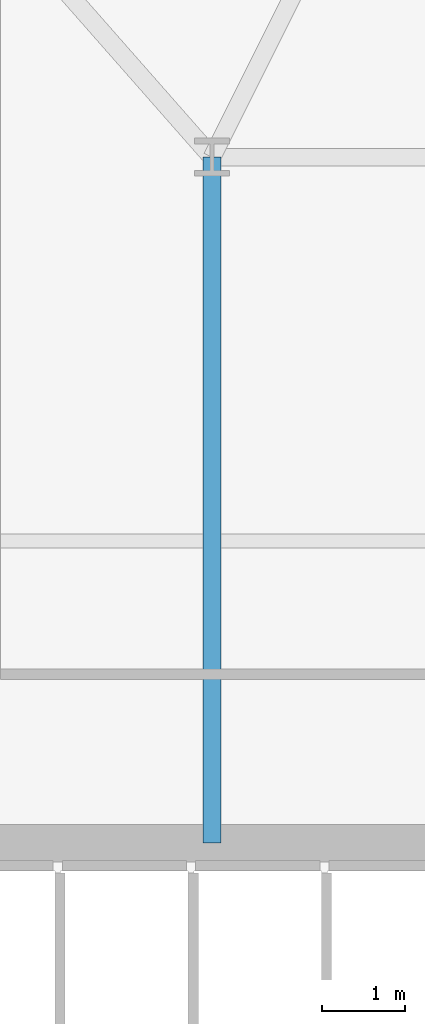
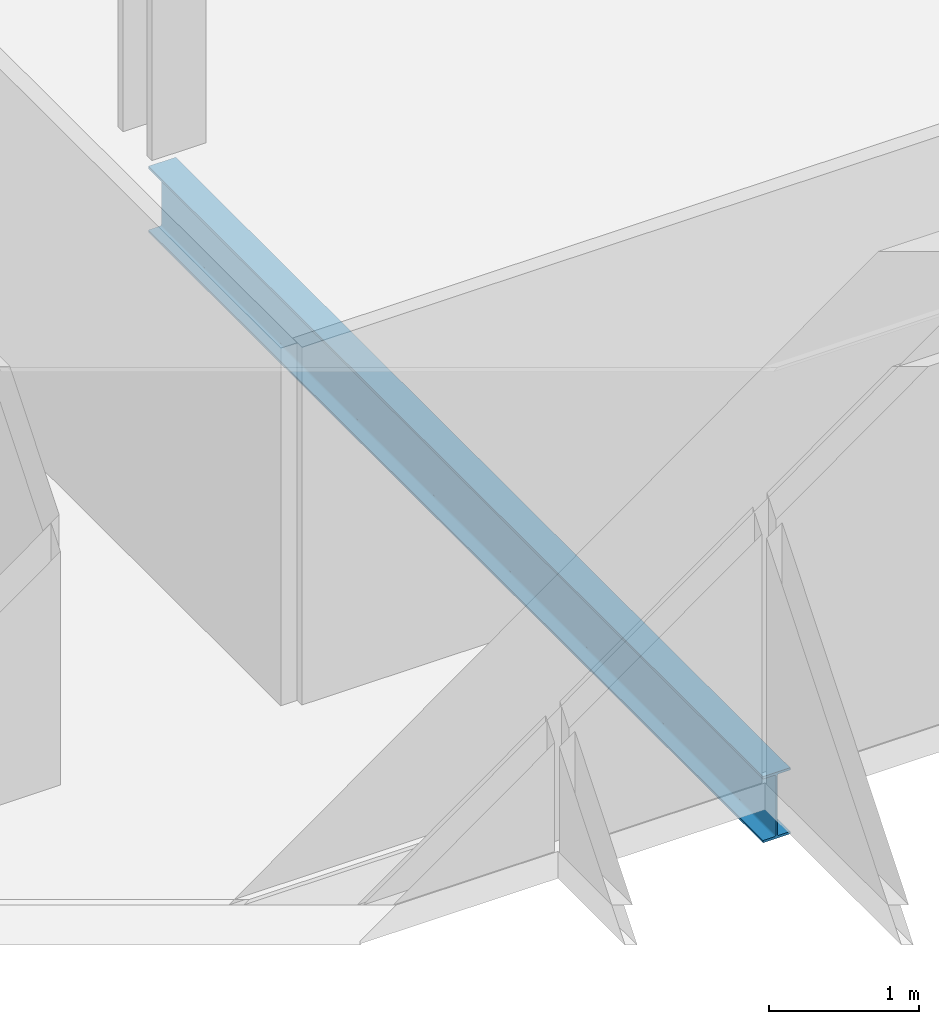
# One storey, part 6 of 31: 1 beam.
"""IFC4 building model written with IfcOpenShell, lengths in metres."""

from ifc_helpers import new_model, si_unit, direction, frame, origin, origin_2d, place, context, subcontext, project, spatial, i_section, extrude, material, material_profile, profile_set, type_object, element, save


model = new_model("IFC4")

# Units and contexts
model_context = context("Model", 3, precision=1e-05, world=origin(), true_north=direction((0.0, 1.0)))
body_context = subcontext(model_context, "Body", "Model", "MODEL_VIEW")
ifc_project = project(units=[si_unit("LENGTHUNIT", "METRE"), si_unit("AREAUNIT", "SQUARE_METRE"), si_unit("VOLUMEUNIT", "CUBIC_METRE"), si_unit("PLANEANGLEUNIT", "RADIAN"), si_unit("MASSUNIT", "GRAM", prefix="KILO")], contexts=[model_context])

# Site, building, storey
site_placement = place(None, origin())
site = spatial("IfcSite", under=ifc_project, at=site_placement, CompositionType="ELEMENT")
building_placement = place(site_placement, origin())
building = spatial("IfcBuilding", under=site, at=building_placement, Name="Ndaravel Arena Tower", CompositionType="ELEMENT")
storey_placement = place(building_placement, frame((0.0, 0.0, 104.39990234375)))
storey = spatial("IfcBuildingStorey", under=building, at=storey_placement, Name="L24", CompositionType="ELEMENT", Elevation=104.39990234375)

# Beam
ifc_material = material(Name="Steel S355", Category="steel")
ifc_material_profile = material_profile(ifc_material, i_section(OverallWidth=0.210693359375, OverallDepth=0.53955078125, WebThickness=0.01171875, FlangeThickness=0.018798828125, FilletRadius=0.0126953125, at=origin_2d()), Name="UB 533x210x109")
ifc_profile_set = profile_set([ifc_material_profile], Name="Steel S355")
beam_type = type_object("IfcBeamType", Name="BM-GIRD-UB533", PredefinedType="BEAM", material=ifc_profile_set)
beam_placement = place(storey_placement, frame((34.199951171875, 14.97998046875, -0.489501953125), z_axis=(0.0, 1.0, 0.0), x_axis=(-1.0, 0.0, 0.0)))
element("IfcBeam", 1, at=beam_placement, inside=storey, type_object=beam_type, Name="L24 Spine Link Girder SLG-01", PredefinedType="BEAM", context=body_context, shape_type="SweptSolid", body=[
    extrude(i_section(OverallWidth=0.210693359375, OverallDepth=0.53955078125, WebThickness=0.01171875, FlangeThickness=0.018798828125, FilletRadius=0.0126953125, at=origin_2d()), origin(), (0.0, 0.0, 1.0), 8.219970703125),
])

save(model, "model.ifc")
